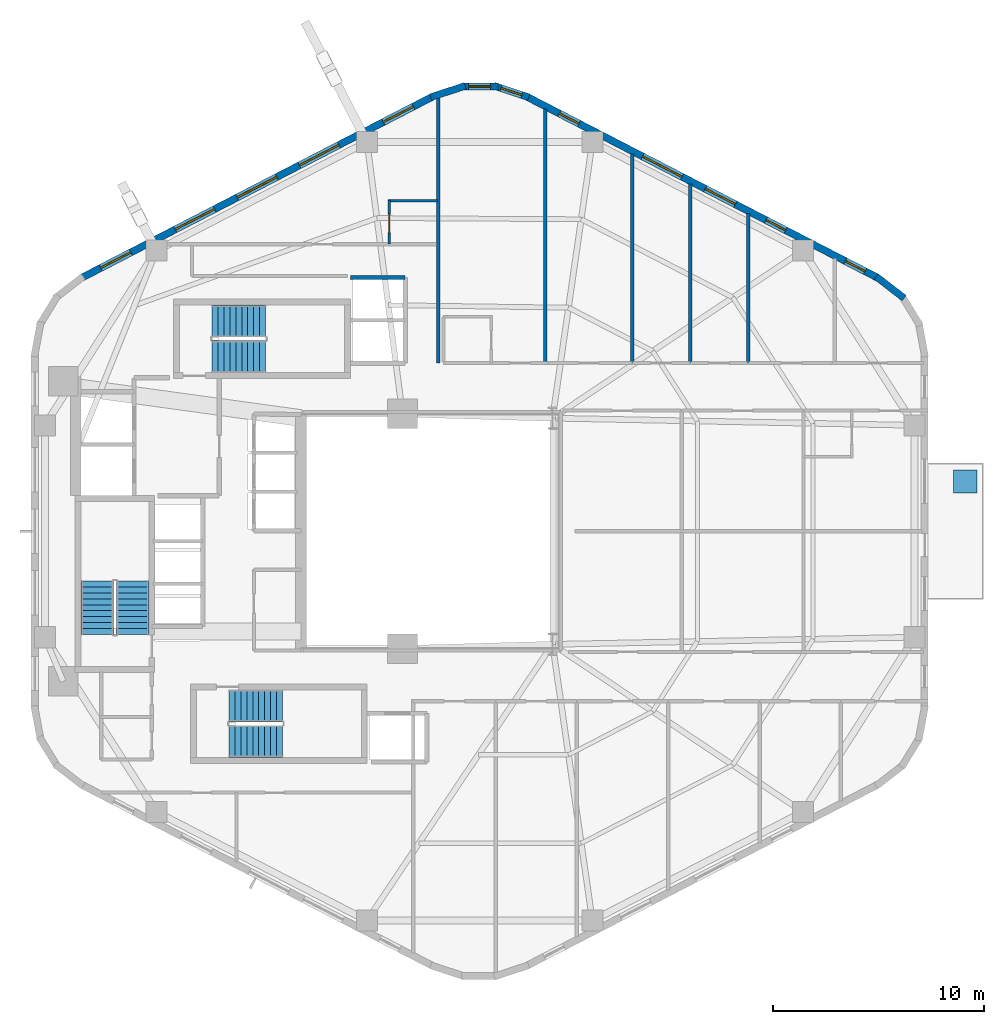
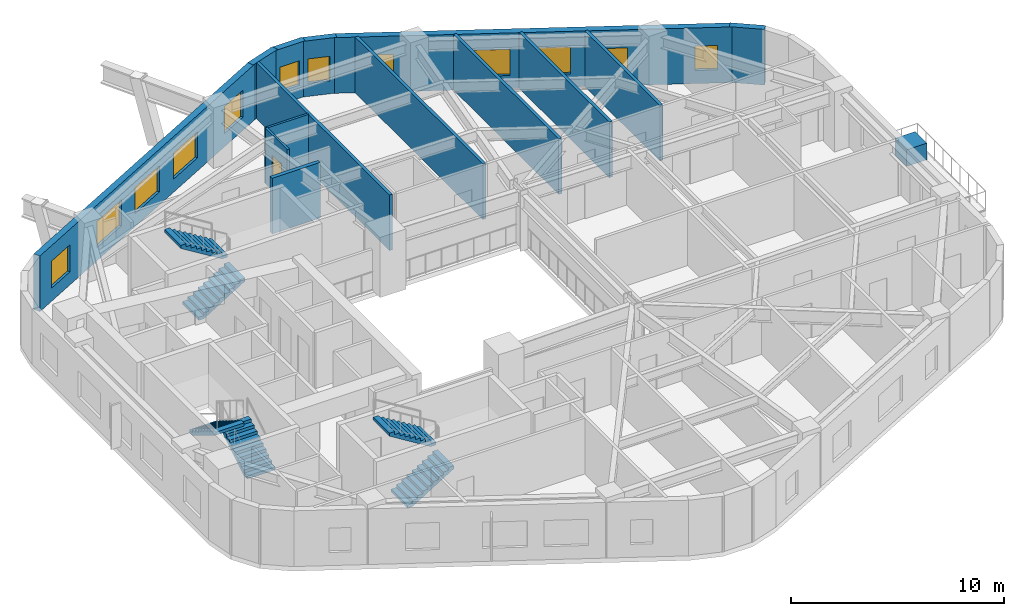
# One storey, part 6 of 8: 14 walls, 12 windows, 6 stair flights, 1 discrete accessory, 1 door, 13 openings, 3 elements without a shape of their own.
"""IFC4 building model written with IfcOpenShell, lengths in metres."""

from ifc_helpers import new_model, si_unit, direction, frame, frame_2d, origin, origin_2d, place, context, subcontext, project, spatial, polyline, rectangle, outline, extrude, material, layer, layer_set, type_object, element, fill, aggregate, save


model = new_model("IFC4")

# Units and contexts
model_context = context("Model", 3, precision=1e-05, world=origin(), true_north=direction((0.0, 1.0)))
body_context = subcontext(model_context, "Body", "Model", "MODEL_VIEW")
ifc_project = project(units=[si_unit("LENGTHUNIT", "METRE"), si_unit("AREAUNIT", "SQUARE_METRE"), si_unit("VOLUMEUNIT", "CUBIC_METRE"), si_unit("PLANEANGLEUNIT", "RADIAN"), si_unit("MASSUNIT", "GRAM", prefix="KILO"), si_unit("THERMODYNAMICTEMPERATUREUNIT", "KELVIN"), si_unit("POWERUNIT", "WATT")], contexts=[model_context])

# Site, building, storey
site_placement = place(None, origin())
site = spatial("IfcSite", under=ifc_project, at=site_placement, CompositionType="ELEMENT")
building_placement = place(site_placement, origin())
building = spatial("IfcBuilding", under=site, at=building_placement, Name="Skarre Station Tower", CompositionType="ELEMENT")
storey_placement = place(building_placement, frame((0.0, 0.0, 125.699951171875)))
storey = spatial("IfcBuildingStorey", under=building, at=storey_placement, Name="L33", CompositionType="ELEMENT", Elevation=125.699951171875)

# Wall
ifc_material_1 = material(Name="Insulated Timber-Stud Gypsum Partition", Category="wood")
ifc_layer_1 = layer(ifc_material_1, 0.1201171875, Name="Insulated Timber-Stud Gypsum Partition")
ifc_layer_set_1 = layer_set([ifc_layer_1], Name="Insulated Timber-Stud Gypsum Partition")
wall_type_1 = type_object("IfcWallType", Name="Internal Suite Acoustic Partition 120", PredefinedType="PARTITIONING", material=ifc_layer_set_1)
wall_1_placement = place(storey_placement, frame((34.0, 39.639892578125, 0.0), z_axis=(0.0, 0.0, 1.0), x_axis=(-1.0, 0.0, 0.0)))
element("IfcWall", 1, at=wall_1_placement, inside=storey, type_object=wall_type_1, Name="L33 Interior Partition WL-PT-L33-NWW1-EW3", PredefinedType="PARTITIONING", context=body_context, shape_type="SweptSolid", body=[
    extrude(rectangle(XDim=2.340087890625, YDim=0.1201171875, at=frame_2d((1.169921875, 0.0))), origin(), (0.0, 0.0, 1.0), 3.18994140625),
])

# Wall, opening, door
wall_2_placement = place(storey_placement, frame((31.719970703125, 39.639892578125, 0.0), z_axis=(0.0, 0.0, 1.0), x_axis=(0.0, -1.0, 0.0)))
wall_2 = element("IfcWall", 2, at=wall_2_placement, inside=storey, type_object=wall_type_1, Name="L33 Interior Partition WL-PT-L33-NWW1-EW4", PredefinedType="PARTITIONING", context=body_context, shape_type="SweptSolid", body=[
    extrude(rectangle(XDim=2.059814453125, YDim=0.1201171875, at=frame_2d((1.02978515625, 0.0))), origin(), (0.0, 0.0, 1.0), 3.18994140625),
])
opening_1_placement = place(wall_2_placement, frame((0.64990234375, 0.0, 0.0)))
opening_1 = element("IfcOpeningElement", 3, at=opening_1_placement, cuts=wall_2, Name="Opening DR-INT86", PredefinedType="OPENING", context=body_context, shape_type="SweptSolid", body=[
    extrude(rectangle(XDim=0.860107421875, YDim=2.0, at=frame_2d((0.43017578125, 1.0))), frame((0.0, 0.070068359375, 0.0), z_axis=(0.0, -1.0, 0.0), x_axis=(1.0, 0.0, 0.0)), (0.0, 0.0, 1.0), 0.14013671875),
])
ifc_material_2 = material(Name="Nordic Birch Acoustic Solid-Core Timber Leaf", Category="wood")
door_type = type_object("IfcDoorType", Name="Internal En-Suite & Bedroom Door 860x2100", OperationType="SINGLE_SWING_LEFT", PredefinedType="DOOR", material=ifc_material_2)
door_placement = place(opening_1_placement, origin())
door = element("IfcDoor", 4, at=door_placement, inside=storey, type_object=door_type, Name="L33 NWW1 En-suite Door", OperationType="SINGLE_SWING_RIGHT", OverallHeight=2.0, OverallWidth=0.860107421875, PredefinedType="DOOR", context=body_context, shape_type="SweptSolid", body=[
    extrude(rectangle(XDim=0.860107421875, YDim=2.0, at=frame_2d((0.43017578125, 1.0))), frame((0.0, 0.02490234375, 0.0), z_axis=(0.0, -1.0, 0.0), x_axis=(1.0, 0.0, 0.0)), (0.0, 0.0, 1.0), 0.050048828125),
])
fill(opening_1, door)

# Wall, openings, windows
ifc_material_3 = material(Name="Precast concrete C45/55", Category="concrete")
ifc_layer_2 = layer(ifc_material_3, 0.340087890625, Name="Precast concrete C45/55")
ifc_layer_set_2 = layer_set([ifc_layer_2], Name="Precast concrete C45/55")
wall_type_2 = type_object("IfcWallType", Name="Nordic Honed Precast Facet Wall 340", PredefinedType="STANDARD", material=ifc_layer_set_2)
wall_3_placement = place(storey_placement, frame((38.23095703125, 44.55810546875, 0.0), z_axis=(0.0, 0.0, 1.0), x_axis=(0.888613612362, -0.458656568606, 0.0)))
wall_3 = element("IfcWall", 5, at=wall_3_placement, inside=storey, type_object=wall_type_2, Name="L33 Facet 0 Nordic Precast Masonry Wall", PredefinedType="STANDARD", context=body_context, shape_type="SweptSolid", body=[
    extrude(rectangle(XDim=18.680908203125, YDim=0.340087890625, at=frame_2d((9.34033203125, 0.0))), origin(), (0.0, 0.0, 1.0), 3.18994140625),
])
opening_2_placement = place(wall_3_placement, frame((1.72705078125, 0.0, 0.75)))
opening_2 = element("IfcOpeningElement", 6, at=opening_2_placement, cuts=wall_3, Name="Opening WN-SLT", PredefinedType="OPENING", context=body_context, shape_type="SweptSolid", body=[
    extrude(rectangle(XDim=1.050048828125, YDim=1.39990234375, at=frame_2d((0.52490234375, 0.699951171875))), frame((0.0, 0.179931640625, 0.0), z_axis=(0.0, -1.0, 0.0), x_axis=(1.0, 0.0, 0.0)), (0.0, 0.0, 1.0), 0.360107421875),
])
opening_3_placement = place(wall_3_placement, frame((6.1630859375, 0.0, 0.75)))
opening_3 = element("IfcOpeningElement", 7, at=opening_3_placement, cuts=wall_3, Name="Opening WN-Z2B", PredefinedType="OPENING", context=body_context, shape_type="SweptSolid", body=[
    extrude(rectangle(XDim=2.10009765625, YDim=1.5, at=frame_2d((1.050048828125, 0.75))), frame((0.0, 0.179931640625, 0.0), z_axis=(0.0, -1.0, 0.0), x_axis=(1.0, 0.0, 0.0)), (0.0, 0.0, 1.0), 0.360107421875),
])
opening_4_placement = place(wall_3_placement, frame((9.4970703125, 0.0, 0.75)))
opening_4 = element("IfcOpeningElement", 8, at=opening_4_placement, cuts=wall_3, Name="Opening WN-Z2A", PredefinedType="OPENING", context=body_context, shape_type="SweptSolid", body=[
    extrude(rectangle(XDim=1.60009765625, YDim=1.550048828125, at=frame_2d((0.800048828125, 0.77490234375))), frame((0.0, 0.179931640625, 0.0), z_axis=(0.0, -1.0, 0.0), x_axis=(1.0, 0.0, 0.0)), (0.0, 0.0, 1.0), 0.360107421875),
])
opening_5_placement = place(wall_3_placement, frame((12.72802734375, 0.0, 0.75)))
opening_5 = element("IfcOpeningElement", 9, at=opening_5_placement, cuts=wall_3, Name="Opening WN-SLT", PredefinedType="OPENING", context=body_context, shape_type="SweptSolid", body=[
    extrude(rectangle(XDim=1.050048828125, YDim=1.39990234375, at=frame_2d((0.52490234375, 0.699951171875))), frame((0.0, 0.179931640625, 0.0), z_axis=(0.0, -1.0, 0.0), x_axis=(1.0, 0.0, 0.0)), (0.0, 0.0, 1.0), 0.360107421875),
])
opening_6_placement = place(wall_3_placement, frame((16.9541015625, 0.0, 0.75)))
opening_6 = element("IfcOpeningElement", 10, at=opening_6_placement, cuts=wall_3, Name="Opening WN-SLT", PredefinedType="OPENING", context=body_context, shape_type="SweptSolid", body=[
    extrude(rectangle(XDim=1.050048828125, YDim=1.39990234375, at=frame_2d((0.52490234375, 0.699951171875))), frame((0.0, 0.179931640625, 0.0), z_axis=(0.0, -1.0, 0.0), x_axis=(1.0, 0.0, 0.0)), (0.0, 0.0, 1.0), 0.360107421875),
])
ifc_material_4 = material(Name="Low-Iron Triple Glazing with Bronze Anodized Frame", Category="glass")
window_type_1 = type_object("IfcWindowType", Name="Nordic Corner Slot Window 1050x1400", PartitioningType="SINGLE_PANEL", PredefinedType="WINDOW", material=ifc_material_4)
window_1_placement = place(opening_2_placement, origin())
window_1 = element("IfcWindow", 11, at=window_1_placement, inside=storey, type_object=window_type_1, Name="L33 Facade Window WL-FAC-L33-F0-1", OverallHeight=1.39990234375, OverallWidth=1.050048828125, PartitioningType="SINGLE_PANEL", PredefinedType="WINDOW", context=body_context, shape_type="SweptSolid", body=[
    extrude(rectangle(XDim=1.050048828125, YDim=1.39990234375, at=frame_2d((0.52490234375, 0.699951171875))), frame((0.0, 0.030029296875, 0.0), z_axis=(0.0, -1.0, 0.0), x_axis=(1.0, 0.0, 0.0)), (0.0, 0.0, 1.0), 0.06005859375),
])
fill(opening_2, window_1)
window_2_placement = place(opening_5_placement, origin())
window_2 = element("IfcWindow", 12, at=window_2_placement, inside=storey, type_object=window_type_1, Name="L33 Facade Window WL-FAC-L33-F0-4", OverallHeight=1.39990234375, OverallWidth=1.050048828125, PartitioningType="SINGLE_PANEL", PredefinedType="WINDOW", context=body_context, shape_type="SweptSolid", body=[
    extrude(rectangle(XDim=1.050048828125, YDim=1.39990234375, at=frame_2d((0.52490234375, 0.699951171875))), frame((0.0, 0.030029296875, 0.0), z_axis=(0.0, -1.0, 0.0), x_axis=(1.0, 0.0, 0.0)), (0.0, 0.0, 1.0), 0.06005859375),
])
fill(opening_5, window_2)
window_3_placement = place(opening_6_placement, origin())
window_3 = element("IfcWindow", 13, at=window_3_placement, inside=storey, type_object=window_type_1, Name="L33 Facade Window WL-FAC-L33-F0-5", OverallHeight=1.39990234375, OverallWidth=1.050048828125, PartitioningType="SINGLE_PANEL", PredefinedType="WINDOW", context=body_context, shape_type="SweptSolid", body=[
    extrude(rectangle(XDim=1.050048828125, YDim=1.39990234375, at=frame_2d((0.52490234375, 0.699951171875))), frame((0.0, 0.030029296875, 0.0), z_axis=(0.0, -1.0, 0.0), x_axis=(1.0, 0.0, 0.0)), (0.0, 0.0, 1.0), 0.06005859375),
])
fill(opening_6, window_3)
window_type_2 = type_object("IfcWindowType", Name="Nordic Residential Tall Window 1600x1550", PartitioningType="SINGLE_PANEL", PredefinedType="WINDOW", material=ifc_material_4)
window_4_placement = place(opening_4_placement, origin())
window_4 = element("IfcWindow", 14, at=window_4_placement, inside=storey, type_object=window_type_2, Name="L33 Facade Window WL-FAC-L33-F0-3", OverallHeight=1.550048828125, OverallWidth=1.60009765625, PartitioningType="SINGLE_PANEL", PredefinedType="WINDOW", context=body_context, shape_type="SweptSolid", body=[
    extrude(rectangle(XDim=1.60009765625, YDim=1.550048828125, at=frame_2d((0.800048828125, 0.77490234375))), frame((0.0, 0.030029296875, 0.0), z_axis=(0.0, -1.0, 0.0), x_axis=(1.0, 0.0, 0.0)), (0.0, 0.0, 1.0), 0.06005859375),
])
fill(opening_4, window_4)
window_type_3 = type_object("IfcWindowType", Name="Nordic Residential Twin Window 2100x1500", PartitioningType="SINGLE_PANEL", PredefinedType="WINDOW", material=ifc_material_4)
window_5_placement = place(opening_3_placement, origin())
window_5 = element("IfcWindow", 15, at=window_5_placement, inside=storey, type_object=window_type_3, Name="L33 Facade Window WL-FAC-L33-F0-2", OverallHeight=1.5, OverallWidth=2.10009765625, PartitioningType="SINGLE_PANEL", PredefinedType="WINDOW", context=body_context, shape_type="SweptSolid", body=[
    extrude(rectangle(XDim=2.10009765625, YDim=1.5, at=frame_2d((1.050048828125, 0.75))), frame((0.0, 0.030029296875, 0.0), z_axis=(0.0, -1.0, 0.0), x_axis=(1.0, 0.0, 0.0)), (0.0, 0.0, 1.0), 0.06005859375),
])
fill(opening_3, window_5)

wall_4_placement = place(storey_placement, frame((17.1689453125, 35.989990234375, 0.0), z_axis=(0.0, 0.0, 1.0), x_axis=(0.888613612362, 0.458656568606, 0.0)))
wall_4 = element("IfcWall", 16, at=wall_4_placement, inside=storey, type_object=wall_type_2, Name="L33 Facet 1 Nordic Precast Masonry Wall", PredefinedType="STANDARD", context=body_context, shape_type="SweptSolid", body=[
    extrude(rectangle(XDim=18.680908203125, YDim=0.340087890625, at=frame_2d((9.34033203125, 0.0))), origin(), (0.0, 0.0, 1.0), 3.18994140625),
])
opening_7_placement = place(wall_4_placement, frame((1.02294921875, 0.0, 0.75)))
opening_7 = element("IfcOpeningElement", 17, at=opening_7_placement, cuts=wall_4, Name="Opening WN-Z2A", PredefinedType="OPENING", context=body_context, shape_type="SweptSolid", body=[
    extrude(rectangle(XDim=1.60009765625, YDim=1.550048828125, at=frame_2d((0.800048828125, 0.77490234375))), frame((0.0, 0.179931640625, 0.0), z_axis=(0.0, -1.0, 0.0), x_axis=(1.0, 0.0, 0.0)), (0.0, 0.0, 1.0), 0.360107421875),
])
opening_8_placement = place(wall_4_placement, frame((4.98095703125, 0.0, 0.75)))
opening_8 = element("IfcOpeningElement", 18, at=opening_8_placement, cuts=wall_4, Name="Opening WN-Z2B", PredefinedType="OPENING", context=body_context, shape_type="SweptSolid", body=[
    extrude(rectangle(XDim=2.10009765625, YDim=1.5, at=frame_2d((1.050048828125, 0.75))), frame((0.0, 0.179931640625, 0.0), z_axis=(0.0, -1.0, 0.0), x_axis=(1.0, 0.0, 0.0)), (0.0, 0.0, 1.0), 0.360107421875),
])
opening_9_placement = place(wall_4_placement, frame((8.2900390625, 0.0, 0.75)))
opening_9 = element("IfcOpeningElement", 19, at=opening_9_placement, cuts=wall_4, Name="Opening WN-Z2B", PredefinedType="OPENING", context=body_context, shape_type="SweptSolid", body=[
    extrude(rectangle(XDim=2.10009765625, YDim=1.5, at=frame_2d((1.050048828125, 0.75))), frame((0.0, 0.179931640625, 0.0), z_axis=(0.0, -1.0, 0.0), x_axis=(1.0, 0.0, 0.0)), (0.0, 0.0, 1.0), 0.360107421875),
])
opening_10_placement = place(wall_4_placement, frame((11.60009765625, 0.0, 0.75)))
opening_10 = element("IfcOpeningElement", 20, at=opening_10_placement, cuts=wall_4, Name="Opening WN-Z2B", PredefinedType="OPENING", context=body_context, shape_type="SweptSolid", body=[
    extrude(rectangle(XDim=2.10009765625, YDim=1.5, at=frame_2d((1.050048828125, 0.75))), frame((0.0, 0.179931640625, 0.0), z_axis=(0.0, -1.0, 0.0), x_axis=(1.0, 0.0, 0.0)), (0.0, 0.0, 1.0), 0.360107421875),
])
opening_11_placement = place(wall_4_placement, frame((16.05810546875, 0.0, 0.75)))
opening_11 = element("IfcOpeningElement", 21, at=opening_11_placement, cuts=wall_4, Name="Opening WN-Z2A", PredefinedType="OPENING", context=body_context, shape_type="SweptSolid", body=[
    extrude(rectangle(XDim=1.60009765625, YDim=1.550048828125, at=frame_2d((0.800048828125, 0.77490234375))), frame((0.0, 0.179931640625, 0.0), z_axis=(0.0, -1.0, 0.0), x_axis=(1.0, 0.0, 0.0)), (0.0, 0.0, 1.0), 0.360107421875),
])
window_6_placement = place(opening_7_placement, origin())
window_6 = element("IfcWindow", 22, at=window_6_placement, inside=storey, type_object=window_type_2, Name="L33 Facade Window WL-FAC-L33-F1-1", OverallHeight=1.550048828125, OverallWidth=1.60009765625, PartitioningType="SINGLE_PANEL", PredefinedType="WINDOW", context=body_context, shape_type="SweptSolid", body=[
    extrude(rectangle(XDim=1.60009765625, YDim=1.550048828125, at=frame_2d((0.800048828125, 0.77490234375))), frame((0.0, 0.030029296875, 0.0), z_axis=(0.0, -1.0, 0.0), x_axis=(1.0, 0.0, 0.0)), (0.0, 0.0, 1.0), 0.06005859375),
])
fill(opening_7, window_6)
window_7_placement = place(opening_11_placement, origin())
window_7 = element("IfcWindow", 23, at=window_7_placement, inside=storey, type_object=window_type_2, Name="L33 Facade Window WL-FAC-L33-F1-5", OverallHeight=1.550048828125, OverallWidth=1.60009765625, PartitioningType="SINGLE_PANEL", PredefinedType="WINDOW", context=body_context, shape_type="SweptSolid", body=[
    extrude(rectangle(XDim=1.60009765625, YDim=1.550048828125, at=frame_2d((0.800048828125, 0.77490234375))), frame((0.0, 0.030029296875, 0.0), z_axis=(0.0, -1.0, 0.0), x_axis=(1.0, 0.0, 0.0)), (0.0, 0.0, 1.0), 0.06005859375),
])
fill(opening_11, window_7)
window_8_placement = place(opening_8_placement, origin())
window_8 = element("IfcWindow", 24, at=window_8_placement, inside=storey, type_object=window_type_3, Name="L33 Facade Window WL-FAC-L33-F1-2", OverallHeight=1.5, OverallWidth=2.10009765625, PartitioningType="SINGLE_PANEL", PredefinedType="WINDOW", context=body_context, shape_type="SweptSolid", body=[
    extrude(rectangle(XDim=2.10009765625, YDim=1.5, at=frame_2d((1.050048828125, 0.75))), frame((0.0, 0.030029296875, 0.0), z_axis=(0.0, -1.0, 0.0), x_axis=(1.0, 0.0, 0.0)), (0.0, 0.0, 1.0), 0.06005859375),
])
fill(opening_8, window_8)
window_9_placement = place(opening_9_placement, origin())
window_9 = element("IfcWindow", 25, at=window_9_placement, inside=storey, type_object=window_type_3, Name="L33 Facade Window WL-FAC-L33-F1-3", OverallHeight=1.5, OverallWidth=2.10009765625, PartitioningType="SINGLE_PANEL", PredefinedType="WINDOW", context=body_context, shape_type="SweptSolid", body=[
    extrude(rectangle(XDim=2.10009765625, YDim=1.5, at=frame_2d((1.050048828125, 0.75))), frame((0.0, 0.030029296875, 0.0), z_axis=(0.0, -1.0, 0.0), x_axis=(1.0, 0.0, 0.0)), (0.0, 0.0, 1.0), 0.06005859375),
])
fill(opening_9, window_9)
window_10_placement = place(opening_10_placement, origin())
window_10 = element("IfcWindow", 26, at=window_10_placement, inside=storey, type_object=window_type_3, Name="L33 Facade Window WL-FAC-L33-F1-4", OverallHeight=1.5, OverallWidth=2.10009765625, PartitioningType="SINGLE_PANEL", PredefinedType="WINDOW", context=body_context, shape_type="SweptSolid", body=[
    extrude(rectangle(XDim=2.10009765625, YDim=1.5, at=frame_2d((1.050048828125, 0.75))), frame((0.0, 0.030029296875, 0.0), z_axis=(0.0, -1.0, 0.0), x_axis=(1.0, 0.0, 0.0)), (0.0, 0.0, 1.0), 0.06005859375),
])
fill(opening_10, window_10)

# Walls
ifc_layer_3 = layer(ifc_material_3, 0.330078125, Name="Precast concrete C45/55")
ifc_layer_set_3 = layer_set([ifc_layer_3], Name="Precast concrete C45/55")
wall_type_3 = type_object("IfcWallType", Name="Nordic Rounded Corner Precast Wall 330", PredefinedType="STANDARD", material=ifc_layer_set_3)
wall_5_placement = place(storey_placement, frame((54.757080078125, 36.050048828125, 0.0), z_axis=(0.0, 0.0, 1.0), x_axis=(0.790621329885, -0.612305408053, 0.0)))
element("IfcWall", 27, at=wall_5_placement, inside=storey, type_object=wall_type_3, Name="L33 Rounded Corner Precast Wall F0-1", PredefinedType="STANDARD", context=body_context, shape_type="SweptSolid", body=[
    extrude(rectangle(XDim=1.67578125, YDim=0.330078125, at=frame_2d((0.837890625, 0.0))), origin(), (0.0, 0.0, 1.0), 3.18994140625),
])
wall_6_placement = place(storey_placement, frame((33.680908203125, 44.531982421875, 0.0), z_axis=(0.0, 0.0, 1.0), x_axis=(0.949937416267, 0.312440242569, 0.0)))
element("IfcWall", 28, at=wall_6_placement, inside=storey, type_object=wall_type_3, Name="L33 Rounded Corner Precast Wall F1-1", PredefinedType="STANDARD", context=body_context, shape_type="SweptSolid", body=[
    extrude(rectangle(XDim=1.72216796875, YDim=0.330078125, at=frame_2d((0.861083984375, 0.0))), origin(), (0.0, 0.0, 1.0), 3.18994140625),
])

# Wall, opening, window
wall_7_placement = place(storey_placement, frame((35.138916015625, 45.041015625, 0.0), z_axis=(0.0, 0.0, 1.0), x_axis=(1.0, 0.0, 0.0)))
wall_7 = element("IfcWall", 29, at=wall_7_placement, inside=storey, type_object=wall_type_3, Name="L33 Rounded Corner Precast Wall F1-2", PredefinedType="STANDARD", context=body_context, shape_type="SweptSolid", body=[
    extrude(rectangle(XDim=1.72216796875, YDim=0.330078125, at=frame_2d((0.861083984375, 0.0))), origin(), (0.0, 0.0, 1.0), 3.18994140625),
])
opening_12_placement = place(wall_7_placement, frame((0.3359375, 0.0, 0.75)))
opening_12 = element("IfcOpeningElement", 30, at=opening_12_placement, cuts=wall_7, Name="Opening WN-SLT", PredefinedType="OPENING", context=body_context, shape_type="SweptSolid", body=[
    extrude(rectangle(XDim=1.050048828125, YDim=1.39990234375, at=frame_2d((0.52490234375, 0.699951171875))), frame((0.0, 0.175048828125, 0.0), z_axis=(0.0, -1.0, 0.0), x_axis=(1.0, 0.0, 0.0)), (0.0, 0.0, 1.0), 0.35009765625),
])
window_11_placement = place(opening_12_placement, origin())
window_11 = element("IfcWindow", 31, at=window_11_placement, inside=storey, type_object=window_type_1, Name="L33 Apex Corner Slot Window F1-2", OverallHeight=1.39990234375, OverallWidth=1.050048828125, PartitioningType="SINGLE_PANEL", PredefinedType="WINDOW", context=body_context, shape_type="SweptSolid", body=[
    extrude(rectangle(XDim=1.050048828125, YDim=1.39990234375, at=frame_2d((0.52490234375, 0.699951171875))), frame((0.0, 0.030029296875, 0.0), z_axis=(0.0, -1.0, 0.0), x_axis=(1.0, 0.0, 0.0)), (0.0, 0.0, 1.0), 0.06005859375),
])
fill(opening_12, window_11)

wall_8_placement = place(storey_placement, frame((36.68310546875, 45.070068359375, 0.0), z_axis=(0.0, 0.0, 1.0), x_axis=(0.949937416267, -0.312440242569, 0.0)))
wall_8 = element("IfcWall", 32, at=wall_8_placement, inside=storey, type_object=wall_type_3, Name="L33 Rounded Corner Precast Wall F1-3", PredefinedType="STANDARD", context=body_context, shape_type="SweptSolid", body=[
    extrude(rectangle(XDim=1.72216796875, YDim=0.330078125, at=frame_2d((0.861083984375, 0.0))), origin(), (0.0, 0.0, 1.0), 3.18994140625),
])
opening_13_placement = place(wall_8_placement, frame((0.3359375, 0.0, 0.75)))
opening_13 = element("IfcOpeningElement", 33, at=opening_13_placement, cuts=wall_8, Name="Opening WN-SLT", PredefinedType="OPENING", context=body_context, shape_type="SweptSolid", body=[
    extrude(rectangle(XDim=1.050048828125, YDim=1.39990234375, at=frame_2d((0.52490234375, 0.699951171875))), frame((0.0, 0.175048828125, 0.0), z_axis=(0.0, -1.0, 0.0), x_axis=(1.0, 0.0, 0.0)), (0.0, 0.0, 1.0), 0.35009765625),
])
window_12_placement = place(opening_13_placement, origin())
window_12 = element("IfcWindow", 34, at=window_12_placement, inside=storey, type_object=window_type_1, Name="L33 Apex Corner Slot Window F1-3", OverallHeight=1.39990234375, OverallWidth=1.050048828125, PartitioningType="SINGLE_PANEL", PredefinedType="WINDOW", context=body_context, shape_type="SweptSolid", body=[
    extrude(rectangle(XDim=1.050048828125, YDim=1.39990234375, at=frame_2d((0.52490234375, 0.699951171875))), frame((0.0, 0.030029296875, 0.0), z_axis=(0.0, -1.0, 0.0), x_axis=(1.0, 0.0, 0.0)), (0.0, 0.0, 1.0), 0.06005859375),
])
fill(opening_13, window_12)

# Walls
ifc_material_5 = material(Name="Gypsum Concrete Shaft Assembly C30/37", Category="concrete")
ifc_layer_4 = layer(ifc_material_5, 0.199951171875, Name="Gypsum Concrete Shaft Assembly C30/37")
ifc_layer_set_4 = layer_set([ifc_layer_4], Name="Gypsum Concrete Shaft Assembly C30/37")
wall_type_4 = type_object("IfcWallType", Name="Shaft & Core Fire Partition 200", PredefinedType="PARTITIONING", material=ifc_layer_set_4)
wall_9_placement = place(storey_placement, frame((29.8798828125, 36.0, 0.0), z_axis=(0.0, 0.0, 1.0), x_axis=(1.0, 0.0, 0.0)))
element("IfcWall", 35, at=wall_9_placement, inside=storey, type_object=wall_type_4, Name="L33 Interior Partition WL-PT-L33-EX-N", PredefinedType="PARTITIONING", context=body_context, shape_type="SweptSolid", body=[
    extrude(rectangle(XDim=2.60009765625, YDim=0.199951171875, at=frame_2d((1.300048828125, 0.0))), origin(), (0.0, 0.0, 1.0), 3.18994140625),
])
ifc_material_6 = material(Name="Acoustic Steel-Stud Gypsum Partition", Category="steel")
ifc_layer_5 = layer(ifc_material_6, 0.1650390625, Name="Acoustic Steel-Stud Gypsum Partition")
ifc_layer_set_5 = layer_set([ifc_layer_5], Name="Acoustic Steel-Stud Gypsum Partition")
wall_type_5 = type_object("IfcWallType", Name="Suite Demising Acoustic Partition 165", PredefinedType="PARTITIONING", material=ifc_layer_set_5)
wall_10_placement = place(storey_placement, frame((34.0400390625, 31.9599609375, 0.0), z_axis=(0.0, 0.0, 1.0), x_axis=(0.0, 1.0, 0.0)))
element("IfcWall", 36, at=wall_10_placement, inside=storey, type_object=wall_type_5, Name="L33 Interior Partition WL-PT-L33-NW-WBND", PredefinedType="PARTITIONING", context=body_context, shape_type="SweptSolid", body=[
    extrude(rectangle(XDim=12.55810546875, YDim=0.1650390625, at=frame_2d((6.279052734375, 0.0))), origin(), (0.0, 0.0, 1.0), 3.18994140625),
])
wall_11_placement = place(storey_placement, frame((39.10400390625, 31.969970703125, 0.0), z_axis=(0.0, 0.0, 1.0), x_axis=(0.0, 1.0, 0.0)))
element("IfcWall", 37, at=wall_11_placement, inside=storey, type_object=wall_type_5, Name="L33 Interior Partition WL-PT-L33-NW-P1", PredefinedType="PARTITIONING", context=body_context, shape_type="SweptSolid", body=[
    extrude(rectangle(XDim=12.001953125, YDim=0.1650390625, at=frame_2d((6.0009765625, 0.0))), origin(), (0.0, 0.0, 1.0), 3.18994140625),
])
wall_12_placement = place(storey_placement, frame((43.215087890625, 31.969970703125, 0.0), z_axis=(0.0, 0.0, 1.0), x_axis=(0.0, 1.0, 0.0)))
element("IfcWall", 38, at=wall_12_placement, inside=storey, type_object=wall_type_5, Name="L33 Interior Partition WL-PT-L33-NW-P2", PredefinedType="PARTITIONING", context=body_context, shape_type="SweptSolid", body=[
    extrude(rectangle(XDim=9.880126953125, YDim=0.1650390625, at=frame_2d((4.93994140625, 0.0))), origin(), (0.0, 0.0, 1.0), 3.18994140625),
])
wall_13_placement = place(storey_placement, frame((45.9560546875, 31.969970703125, 0.0), z_axis=(0.0, 0.0, 1.0), x_axis=(0.0, 1.0, 0.0)))
element("IfcWall", 39, at=wall_13_placement, inside=storey, type_object=wall_type_5, Name="L33 Interior Partition WL-PT-L33-NW-P3", PredefinedType="PARTITIONING", context=body_context, shape_type="SweptSolid", body=[
    extrude(rectangle(XDim=8.466064453125, YDim=0.1650390625, at=frame_2d((4.23291015625, 0.0))), origin(), (0.0, 0.0, 1.0), 3.18994140625),
])
wall_14_placement = place(storey_placement, frame((48.696044921875, 31.969970703125, 0.0), z_axis=(0.0, 0.0, 1.0), x_axis=(0.0, 1.0, 0.0)))
element("IfcWall", 40, at=wall_14_placement, inside=storey, type_object=wall_type_5, Name="L33 Interior Partition WL-PT-L33-NW-P4", PredefinedType="PARTITIONING", context=body_context, shape_type="SweptSolid", body=[
    extrude(rectangle(XDim=7.051025390625, YDim=0.1650390625, at=frame_2d((3.525390625, 0.0))), origin(), (0.0, 0.0, 1.0), 3.18994140625),
])

# Stair, stair flights
ifc_material_7 = material(Name="Concrete C40/50", Category="concrete")
stair_type_1 = type_object("IfcStairType", Name="Reinforced Concrete Exit Stair ST-1", PredefinedType="HALF_TURN_STAIR", material=ifc_material_7)
stair_1_placement = place(storey_placement, origin())
stair_1 = element("IfcStair", 41, at=stair_1_placement, inside=storey, type_object=stair_type_1, Name="L33 Core Exit Stair ST-1", PredefinedType="HALF_TURN_STAIR")
stair_flight_type_1 = type_object("IfcStairFlightType", Name="Reinforced Concrete Stair Flight ST-1", PredefinedType="STRAIGHT", material=ifc_material_7)
stair_flight_1_placement = place(storey_placement, frame((19.590087890625, 19.1201171875, 0.0), z_axis=(0.0, 0.0, 1.0), x_axis=(0.0, 1.0, 0.0)))
stair_flight_1 = element("IfcStairFlight", 42, at=stair_flight_1_placement, type_object=stair_flight_type_1, Name="ST-1 flight 1", NumberOfRisers=10, NumberOfTreads=9, PredefinedType="STRAIGHT", RiserHeight=0.1725, TreadLength=0.28, context=body_context, shape_type="SweptSolid", body=[
    extrude(outline(polyline([(0.0, 0.0), (0.0, 0.172607421875), (0.280029296875, 0.172607421875), (0.280029296875, 0.344970703125), (0.56005859375, 0.344970703125), (0.56005859375, 0.517578125), (0.840087890625, 0.517578125), (0.840087890625, 0.68994140625), (1.1201171875, 0.68994140625), (1.1201171875, 0.862548828125), (1.39990234375, 0.862548828125), (1.39990234375, 1.034912109375), (1.679931640625, 1.034912109375), (1.679931640625, 1.20751953125), (1.9599609375, 1.20751953125), (1.9599609375, 1.3798828125), (2.239990234375, 1.3798828125), (2.239990234375, 1.552490234375), (2.52001953125, 1.552490234375), (2.52001953125, 1.72509765625), (2.52001953125, 1.37646484375), (0.285888671875, 0.0), (0.0, 0.0)])), frame((0.0, 0.760009765625, 0.0), z_axis=(0.0, -1.0, 0.0), x_axis=(1.0, 0.0, 0.0)), (0.0, 0.0, 1.0), 1.52001953125),
])
stair_flight_2_placement = place(storey_placement, frame((17.909912109375, 21.639892578125, 1.72509765625), z_axis=(0.0, 0.0, 1.0), x_axis=(0.0, -1.0, 0.0)))
stair_flight_2 = element("IfcStairFlight", 43, at=stair_flight_2_placement, type_object=stair_flight_type_1, Name="ST-1 flight 2", NumberOfRisers=10, NumberOfTreads=9, PredefinedType="STRAIGHT", RiserHeight=0.1725, TreadLength=0.28, context=body_context, shape_type="SweptSolid", body=[
    extrude(outline(polyline([(0.0, 0.0), (0.0, 0.172607421875), (0.280029296875, 0.172607421875), (0.280029296875, 0.344970703125), (0.56005859375, 0.344970703125), (0.56005859375, 0.517578125), (0.840087890625, 0.517578125), (0.840087890625, 0.68994140625), (1.1201171875, 0.68994140625), (1.1201171875, 0.862548828125), (1.39990234375, 0.862548828125), (1.39990234375, 1.034912109375), (1.679931640625, 1.034912109375), (1.679931640625, 1.20751953125), (1.9599609375, 1.20751953125), (1.9599609375, 1.3798828125), (2.239990234375, 1.3798828125), (2.239990234375, 1.552490234375), (2.52001953125, 1.552490234375), (2.52001953125, 1.72509765625), (2.52001953125, 1.37646484375), (0.285888671875, 0.0), (0.0, 0.0)])), frame((0.0, 0.760009765625, 0.0), z_axis=(0.0, -1.0, 0.0), x_axis=(1.0, 0.0, 0.0)), (0.0, 0.0, 1.0), 1.52001953125),
])
aggregate(stair_1, [stair_flight_1, stair_flight_2])

stair_type_2 = type_object("IfcStairType", Name="Reinforced Concrete Exit Stair ST-2", PredefinedType="HALF_TURN_STAIR", material=ifc_material_7)
stair_2_placement = place(storey_placement, origin())
stair_2 = element("IfcStair", 44, at=stair_2_placement, inside=storey, type_object=stair_type_2, Name="L33 Core Exit Stair ST-2", PredefinedType="HALF_TURN_STAIR")
stair_flight_type_2 = type_object("IfcStairFlightType", Name="Reinforced Concrete Stair Flight ST-2", PredefinedType="STRAIGHT", material=ifc_material_7)
stair_flight_3_placement = place(storey_placement, frame((24.14990234375, 14.06005859375, 0.0), z_axis=(0.0, 0.0, 1.0), x_axis=(1.0, 0.0, 0.0)))
stair_flight_3 = element("IfcStairFlight", 45, at=stair_flight_3_placement, type_object=stair_flight_type_2, Name="ST-2 flight 1", NumberOfRisers=10, NumberOfTreads=9, PredefinedType="STRAIGHT", RiserHeight=0.1725, TreadLength=0.28, context=body_context, shape_type="SweptSolid", body=[
    extrude(outline(polyline([(0.0, 0.0), (0.0, 0.172607421875), (0.280029296875, 0.172607421875), (0.280029296875, 0.344970703125), (0.56005859375, 0.344970703125), (0.56005859375, 0.517578125), (0.840087890625, 0.517578125), (0.840087890625, 0.68994140625), (1.1201171875, 0.68994140625), (1.1201171875, 0.862548828125), (1.39990234375, 0.862548828125), (1.39990234375, 1.034912109375), (1.679931640625, 1.034912109375), (1.679931640625, 1.20751953125), (1.9599609375, 1.20751953125), (1.9599609375, 1.3798828125), (2.239990234375, 1.3798828125), (2.239990234375, 1.552490234375), (2.52001953125, 1.552490234375), (2.52001953125, 1.72509765625), (2.52001953125, 1.37646484375), (0.285888671875, 0.0), (0.0, 0.0)])), frame((0.0, 0.760009765625, 0.0), z_axis=(0.0, -1.0, 0.0), x_axis=(1.0, 0.0, 0.0)), (0.0, 0.0, 1.0), 1.52001953125),
])
stair_flight_4_placement = place(storey_placement, frame((26.669921875, 15.739990234375, 1.72509765625), z_axis=(0.0, 0.0, 1.0), x_axis=(-1.0, 0.0, 0.0)))
stair_flight_4 = element("IfcStairFlight", 46, at=stair_flight_4_placement, type_object=stair_flight_type_2, Name="ST-2 flight 2", NumberOfRisers=10, NumberOfTreads=9, PredefinedType="STRAIGHT", RiserHeight=0.1725, TreadLength=0.28, context=body_context, shape_type="SweptSolid", body=[
    extrude(outline(polyline([(0.0, 0.0), (0.0, 0.172607421875), (0.280029296875, 0.172607421875), (0.280029296875, 0.344970703125), (0.56005859375, 0.344970703125), (0.56005859375, 0.517578125), (0.840087890625, 0.517578125), (0.840087890625, 0.68994140625), (1.1201171875, 0.68994140625), (1.1201171875, 0.862548828125), (1.39990234375, 0.862548828125), (1.39990234375, 1.034912109375), (1.679931640625, 1.034912109375), (1.679931640625, 1.20751953125), (1.9599609375, 1.20751953125), (1.9599609375, 1.3798828125), (2.239990234375, 1.3798828125), (2.239990234375, 1.552490234375), (2.52001953125, 1.552490234375), (2.52001953125, 1.72509765625), (2.52001953125, 1.37646484375), (0.285888671875, 0.0), (0.0, 0.0)])), frame((0.0, 0.760009765625, 0.0), z_axis=(0.0, -1.0, 0.0), x_axis=(1.0, 0.0, 0.0)), (0.0, 0.0, 1.0), 1.52001953125),
])
aggregate(stair_2, [stair_flight_3, stair_flight_4])

stair_type_3 = type_object("IfcStairType", Name="Reinforced Concrete Exit Stair ST-3", PredefinedType="HALF_TURN_STAIR", material=ifc_material_7)
stair_3_placement = place(storey_placement, origin())
stair_3 = element("IfcStair", 47, at=stair_3_placement, inside=storey, type_object=stair_type_3, Name="L33 Core Exit Stair ST-3", PredefinedType="HALF_TURN_STAIR")
stair_flight_type_3 = type_object("IfcStairFlightType", Name="Reinforced Concrete Stair Flight ST-3", PredefinedType="STRAIGHT", material=ifc_material_7)
stair_flight_5_placement = place(storey_placement, frame((23.35009765625, 32.260009765625, 0.0), z_axis=(0.0, 0.0, 1.0), x_axis=(1.0, 0.0, 0.0)))
stair_flight_5 = element("IfcStairFlight", 48, at=stair_flight_5_placement, type_object=stair_flight_type_3, Name="ST-3 flight 1", NumberOfRisers=10, NumberOfTreads=9, PredefinedType="STRAIGHT", RiserHeight=0.1725, TreadLength=0.28, context=body_context, shape_type="SweptSolid", body=[
    extrude(outline(polyline([(0.0, 0.0), (0.0, 0.172607421875), (0.280029296875, 0.172607421875), (0.280029296875, 0.344970703125), (0.56005859375, 0.344970703125), (0.56005859375, 0.517578125), (0.840087890625, 0.517578125), (0.840087890625, 0.68994140625), (1.1201171875, 0.68994140625), (1.1201171875, 0.862548828125), (1.39990234375, 0.862548828125), (1.39990234375, 1.034912109375), (1.679931640625, 1.034912109375), (1.679931640625, 1.20751953125), (1.9599609375, 1.20751953125), (1.9599609375, 1.3798828125), (2.239990234375, 1.3798828125), (2.239990234375, 1.552490234375), (2.52001953125, 1.552490234375), (2.52001953125, 1.72509765625), (2.52001953125, 1.37646484375), (0.285888671875, 0.0), (0.0, 0.0)])), frame((0.0, 0.760009765625, 0.0), z_axis=(0.0, -1.0, 0.0), x_axis=(1.0, 0.0, 0.0)), (0.0, 0.0, 1.0), 1.52001953125),
])
stair_flight_6_placement = place(storey_placement, frame((25.8701171875, 33.93994140625, 1.72509765625), z_axis=(0.0, 0.0, 1.0), x_axis=(-1.0, 0.0, 0.0)))
stair_flight_6 = element("IfcStairFlight", 49, at=stair_flight_6_placement, type_object=stair_flight_type_3, Name="ST-3 flight 2", NumberOfRisers=10, NumberOfTreads=9, PredefinedType="STRAIGHT", RiserHeight=0.1725, TreadLength=0.28, context=body_context, shape_type="SweptSolid", body=[
    extrude(outline(polyline([(0.0, 0.0), (0.0, 0.172607421875), (0.280029296875, 0.172607421875), (0.280029296875, 0.344970703125), (0.56005859375, 0.344970703125), (0.56005859375, 0.517578125), (0.840087890625, 0.517578125), (0.840087890625, 0.68994140625), (1.1201171875, 0.68994140625), (1.1201171875, 0.862548828125), (1.39990234375, 0.862548828125), (1.39990234375, 1.034912109375), (1.679931640625, 1.034912109375), (1.679931640625, 1.20751953125), (1.9599609375, 1.20751953125), (1.9599609375, 1.3798828125), (2.239990234375, 1.3798828125), (2.239990234375, 1.552490234375), (2.52001953125, 1.552490234375), (2.52001953125, 1.72509765625), (2.52001953125, 1.37646484375), (0.285888671875, 0.0), (0.0, 0.0)])), frame((0.0, 0.760009765625, 0.0), z_axis=(0.0, -1.0, 0.0), x_axis=(1.0, 0.0, 0.0)), (0.0, 0.0, 1.0), 1.52001953125),
])
aggregate(stair_3, [stair_flight_5, stair_flight_6])

# Discrete accessory
discrete_accessory_type = type_object("IfcDiscreteAccessoryType", Name="Insulated Precast Tree Planter Trough 1100x1100x950", PredefinedType="USERDEFINED", material=ifc_material_3)
discrete_accessory_placement = place(storey_placement, frame((58.968017578125, 26.35009765625, 0.0), z_axis=(0.0, 0.0, 1.0), x_axis=(1.0, 0.0, 0.0)))
element("IfcDiscreteAccessory", 50, at=discrete_accessory_placement, inside=storey, type_object=discrete_accessory_type, Name="L33 TB-L33-F5 Insulated Precast Tree Planter Trough", ObjectType="PLANTER", PredefinedType="USERDEFINED", context=body_context, shape_type="SweptSolid", body=[
    extrude(rectangle(XDim=1.10009765625, YDim=1.10009765625, at=origin_2d()), origin(), (0.0, 0.0, 1.0), 0.949951171875),
])

save(model, "model.ifc")
